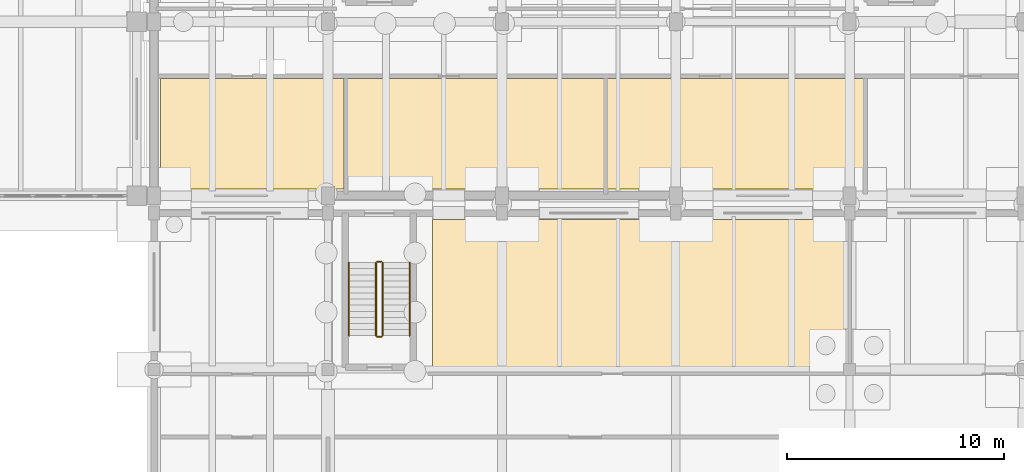
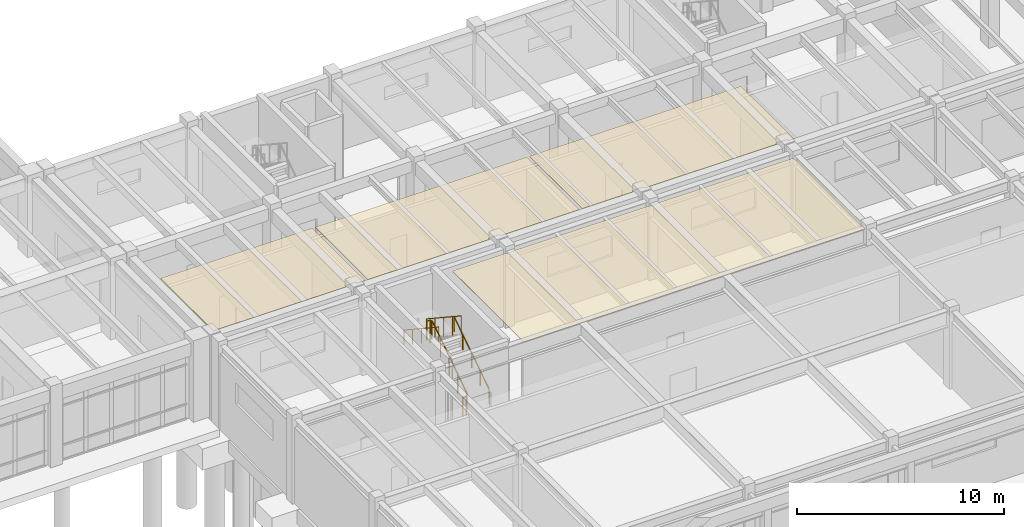
# One storey, part 52 of 64: 6 railings, 4 coverings.
"""IFC4 building model written with IfcOpenShell, lengths in metres."""

from ifc_helpers import new_model, si_unit, direction, frame, origin, origin_2d, place, context, subcontext, project, spatial, polyline, circle, outline, extrude, material, layer, layer_set, type_object, element, save


model = new_model("IFC4")

# Units and contexts
model_context = context("Model", 3, precision=1e-05, world=origin(), true_north=direction((0.0, 1.0)))
body_context = subcontext(model_context, "Body", "Model", "MODEL_VIEW")
ifc_project = project(units=[si_unit("LENGTHUNIT", "METRE"), si_unit("AREAUNIT", "SQUARE_METRE"), si_unit("VOLUMEUNIT", "CUBIC_METRE"), si_unit("PLANEANGLEUNIT", "RADIAN"), si_unit("MASSUNIT", "GRAM", prefix="KILO")], contexts=[model_context])

# Site, building, storey
site_placement = place(None, origin())
site = spatial("IfcSite", under=ifc_project, at=site_placement, CompositionType="ELEMENT")
building_placement = place(site_placement, origin())
building = spatial("IfcBuilding", under=site, at=building_placement, Name="Tlaxcora Railside Police Headquarters", CompositionType="ELEMENT")
storey_placement = place(building_placement, origin())
storey = spatial("IfcBuildingStorey", under=building, at=storey_placement, Name="L00", CompositionType="ELEMENT", Elevation=0.0)

# Coverings
ifc_material_1 = material(Name="Mineral-fibre acoustic ceiling tile")
ifc_layer = layer(ifc_material_1, 0.034912109375, Name="Mineral-fibre acoustic ceiling tile")
ifc_layer_set = layer_set([ifc_layer], Name="Mineral-fibre acoustic ceiling tile")
covering_type = type_object("IfcCoveringType", Name="Acoustic Suspended Ceiling CLG-01", PredefinedType="CEILING", material=ifc_layer_set)
covering_1_placement = place(storey_placement, frame((0.0, 0.0, 4.364990234375)))
element("IfcCovering", 1, at=covering_1_placement, inside=storey, type_object=covering_type, Name="Range Master Control and Weapons Clearing Room suspended ceiling", PredefinedType="CEILING", context=body_context, shape_type="SweptSolid", body=[
    extrude(outline(polyline([(118.5400390625, 34.864990234375), (118.5400390625, 34.89990234375), (115.60009765625, 34.89990234375), (115.60009765625, 28.0), (134.514892578125, 28.0), (134.514892578125, 28.284912109375), (134.60009765625, 28.284912109375), (134.60009765625, 34.864990234375), (134.5400390625, 34.864990234375), (134.5400390625, 34.89990234375), (127.06005859375, 34.89990234375), (127.06005859375, 34.864990234375), (126.5400390625, 34.864990234375), (126.5400390625, 34.89990234375), (119.06005859375, 34.89990234375), (119.06005859375, 34.864990234375), (118.5400390625, 34.864990234375)])), origin(), (0.0, 0.0, 1.0), 0.034912109375),
])
covering_2_placement = place(storey_placement, frame((0.0, 0.0, 4.364990234375)))
element("IfcCovering", 2, at=covering_2_placement, inside=storey, type_object=covering_type, Name="Custody Accessible WC and Detainee Sanitary Suite suspended ceiling", PredefinedType="CEILING", context=body_context, shape_type="SweptSolid", body=[
    extrude(outline(polyline([(103.10009765625, 41.39990234375), (103.10009765625, 36.409912109375), (103.110107421875, 36.409912109375), (103.110107421875, 36.300048828125), (110.489990234375, 36.300048828125), (110.489990234375, 36.409912109375), (111.110107421875, 36.409912109375), (111.110107421875, 36.300048828125), (111.549072265625, 36.300048828125), (111.549072265625, 41.39990234375), (103.10009765625, 41.39990234375)])), origin(), (0.0, 0.0, 1.0), 0.034912109375),
])
covering_3_placement = place(storey_placement, frame((0.0, 0.0, 4.364990234375)))
element("IfcCovering", 3, at=covering_3_placement, inside=storey, type_object=covering_type, Name="Adult Male Holding Cell Block A suspended ceiling", PredefinedType="CEILING", context=body_context, shape_type="SweptSolid", body=[
    extrude(outline(polyline([(111.708984375, 36.300048828125), (118.489990234375, 36.300048828125), (118.489990234375, 36.409912109375), (119.110107421875, 36.409912109375), (119.110107421875, 36.300048828125), (123.489990234375, 36.300048828125), (123.489990234375, 41.39990234375), (111.708984375, 41.39990234375), (111.708984375, 36.300048828125)])), origin(), (0.0, 0.0, 1.0), 0.034912109375),
])
covering_4_placement = place(storey_placement, frame((0.0, 0.0, 4.364990234375)))
element("IfcCovering", 4, at=covering_4_placement, inside=storey, type_object=covering_type, Name="Adult Holding Cell Block B suspended ceiling", PredefinedType="CEILING", context=body_context, shape_type="SweptSolid", body=[
    extrude(outline(polyline([(123.64990234375, 41.39990234375), (123.64990234375, 36.300048828125), (126.489990234375, 36.300048828125), (126.489990234375, 36.409912109375), (127.110107421875, 36.409912109375), (127.110107421875, 36.300048828125), (134.489990234375, 36.300048828125), (134.489990234375, 36.409912109375), (135.110107421875, 36.409912109375), (135.110107421875, 36.300048828125), (135.430908203125, 36.300048828125), (135.430908203125, 41.39990234375), (123.64990234375, 41.39990234375)])), origin(), (0.0, 0.0, 1.0), 0.034912109375),
])

# Railings
ifc_material_2 = material(Name="Steel ASTM A992 Grade 50", Category="steel")
railing_type_1 = type_object("IfcRailingType", Name="Stair Well Guard Balustrade GR-02", PredefinedType="BALUSTRADE", material=ifc_material_2)
railing_1_placement = place(storey_placement, frame((113.31005859375, 29.56005859375, 0.1845703125)))
element("IfcRailing", 5, at=railing_1_placement, inside=storey, type_object=railing_type_1, Name="L00 ST7 stair guard 1", PredefinedType="BALUSTRADE", context=body_context, shape_type="SweptSolid", body=[
    extrude(circle(Radius=0.02392578125, at=origin_2d()), frame((0.0, 0.0, 1.09619140625), z_axis=(0.0, 0.834858096282, 0.550465220583), x_axis=(-1.0, 0.0, 0.0)), (0.0, 0.0, 1.0), 4.0244140625),
    extrude(circle(Radius=0.02099609375, at=origin_2d()), origin(), (0.0, 0.0, 1.0), 1.072021484375),
    extrude(circle(Radius=0.02099609375, at=origin_2d()), frame((0.0, 0.83984375, 0.5537109375)), (0.0, 0.0, 1.0), 1.072021484375),
    extrude(circle(Radius=0.02099609375, at=origin_2d()), frame((0.0, 1.679931640625, 1.107666015625)), (0.0, 0.0, 1.0), 1.072021484375),
    extrude(circle(Radius=0.02099609375, at=origin_2d()), frame((0.0, 2.52001953125, 1.66162109375)), (0.0, 0.0, 1.0), 1.072021484375),
    extrude(circle(Radius=0.02099609375, at=origin_2d()), frame((0.0, 3.35986328125, 2.21533203125)), (0.0, 0.0, 1.0), 1.072021484375),
])
railing_2_placement = place(storey_placement, frame((113.260009765625, 32.969970703125, 2.39990234375)))
element("IfcRailing", 6, at=railing_2_placement, inside=storey, type_object=railing_type_1, Name="L00 ST7 stair guard 2", PredefinedType="BALUSTRADE", context=body_context, shape_type="SweptSolid", body=[
    extrude(circle(Radius=0.02392578125, at=origin_2d()), frame((0.0, 0.0, 1.09619140625), z_axis=(-1.0, 0.0, 0.0), x_axis=(0.0, -1.0, 0.0)), (0.0, 0.0, 1.0), 0.199951171875),
    extrude(circle(Radius=0.02099609375, at=origin_2d()), origin(), (0.0, 0.0, 1.0), 1.072021484375),
    extrude(circle(Radius=0.02099609375, at=origin_2d()), frame((-0.199951171875, 0.0, 0.0)), (0.0, 0.0, 1.0), 1.072021484375),
])
railing_3_placement = place(storey_placement, frame((113.010009765625, 32.919921875, 2.584716796875)))
element("IfcRailing", 7, at=railing_3_placement, inside=storey, type_object=railing_type_1, Name="L00 ST7 stair guard 3", PredefinedType="BALUSTRADE", context=body_context, shape_type="SweptSolid", body=[
    extrude(circle(Radius=0.02392578125, at=origin_2d()), frame((0.0, 0.0, 1.09619140625), z_axis=(0.0, -0.834858096282, 0.550465220583), x_axis=(1.0, 0.0, 0.0)), (0.0, 0.0, 1.0), 4.0244140625),
    extrude(circle(Radius=0.02099609375, at=origin_2d()), origin(), (0.0, 0.0, 1.0), 1.072021484375),
    extrude(circle(Radius=0.02099609375, at=origin_2d()), frame((0.0, -0.83984375, 0.5537109375)), (0.0, 0.0, 1.0), 1.072021484375),
    extrude(circle(Radius=0.02099609375, at=origin_2d()), frame((0.0, -1.679931640625, 1.107666015625)), (0.0, 0.0, 1.0), 1.072021484375),
    extrude(circle(Radius=0.02099609375, at=origin_2d()), frame((0.0, -2.52001953125, 1.66162109375)), (0.0, 0.0, 1.0), 1.072021484375),
    extrude(circle(Radius=0.02099609375, at=origin_2d()), frame((0.0, -3.35986328125, 2.21533203125)), (0.0, 0.0, 1.0), 1.072021484375),
])
railing_4_placement = place(storey_placement, frame((113.260009765625, 29.510009765625, 0.0)))
element("IfcRailing", 8, at=railing_4_placement, inside=storey, type_object=railing_type_1, Name="L00 ST7 stair guard 4", PredefinedType="BALUSTRADE", context=body_context, shape_type="SweptSolid", body=[
    extrude(circle(Radius=0.02392578125, at=origin_2d()), frame((0.0, 0.0, 1.09619140625), z_axis=(-1.0, 0.0, 0.0), x_axis=(0.0, -1.0, 0.0)), (0.0, 0.0, 1.0), 0.199951171875),
    extrude(circle(Radius=0.02099609375, at=origin_2d()), origin(), (0.0, 0.0, 1.0), 1.072021484375),
    extrude(circle(Radius=0.02099609375, at=origin_2d()), frame((-0.199951171875, 0.0, 0.0)), (0.0, 0.0, 1.0), 1.072021484375),
])
railing_type_2 = type_object("IfcRailingType", Name="Stair and Ramp Handrail HR-01", PredefinedType="HANDRAIL", material=ifc_material_2)
railing_5_placement = place(storey_placement, frame((114.56005859375, 29.56005859375, 0.1845703125)))
element("IfcRailing", 9, at=railing_5_placement, inside=storey, type_object=railing_type_2, Name="L00 ST7 stair handrail 1", PredefinedType="HANDRAIL", context=body_context, shape_type="SweptSolid", body=[
    extrude(circle(Radius=0.02392578125, at=origin_2d()), frame((0.0, 0.0, 0.8759765625), z_axis=(0.0, 0.834858096282, 0.550465220583), x_axis=(-1.0, 0.0, 0.0)), (0.0, 0.0, 1.0), 4.0244140625),
    extrude(circle(Radius=0.02099609375, at=origin_2d()), origin(), (0.0, 0.0, 1.0), 0.851806640625),
    extrude(circle(Radius=0.02099609375, at=origin_2d()), frame((0.0, 0.83984375, 0.5537109375)), (0.0, 0.0, 1.0), 0.851806640625),
    extrude(circle(Radius=0.02099609375, at=origin_2d()), frame((0.0, 1.679931640625, 1.107666015625)), (0.0, 0.0, 1.0), 0.851806640625),
    extrude(circle(Radius=0.02099609375, at=origin_2d()), frame((0.0, 2.52001953125, 1.66162109375)), (0.0, 0.0, 1.0), 0.851806640625),
    extrude(circle(Radius=0.02099609375, at=origin_2d()), frame((0.0, 3.35986328125, 2.21533203125)), (0.0, 0.0, 1.0), 0.851806640625),
])
railing_6_placement = place(storey_placement, frame((111.760009765625, 32.919921875, 2.584716796875)))
element("IfcRailing", 10, at=railing_6_placement, inside=storey, type_object=railing_type_2, Name="L00 ST7 stair handrail 2", PredefinedType="HANDRAIL", context=body_context, shape_type="SweptSolid", body=[
    extrude(circle(Radius=0.02392578125, at=origin_2d()), frame((0.0, 0.0, 0.8759765625), z_axis=(0.0, -0.834858096282, 0.550465220583), x_axis=(1.0, 0.0, 0.0)), (0.0, 0.0, 1.0), 4.0244140625),
    extrude(circle(Radius=0.02099609375, at=origin_2d()), origin(), (0.0, 0.0, 1.0), 0.851806640625),
    extrude(circle(Radius=0.02099609375, at=origin_2d()), frame((0.0, -0.83984375, 0.5537109375)), (0.0, 0.0, 1.0), 0.851806640625),
    extrude(circle(Radius=0.02099609375, at=origin_2d()), frame((0.0, -1.679931640625, 1.107666015625)), (0.0, 0.0, 1.0), 0.851806640625),
    extrude(circle(Radius=0.02099609375, at=origin_2d()), frame((0.0, -2.52001953125, 1.66162109375)), (0.0, 0.0, 1.0), 0.851806640625),
    extrude(circle(Radius=0.02099609375, at=origin_2d()), frame((0.0, -3.35986328125, 2.21533203125)), (0.0, 0.0, 1.0), 0.851806640625),
])

save(model, "model.ifc")
